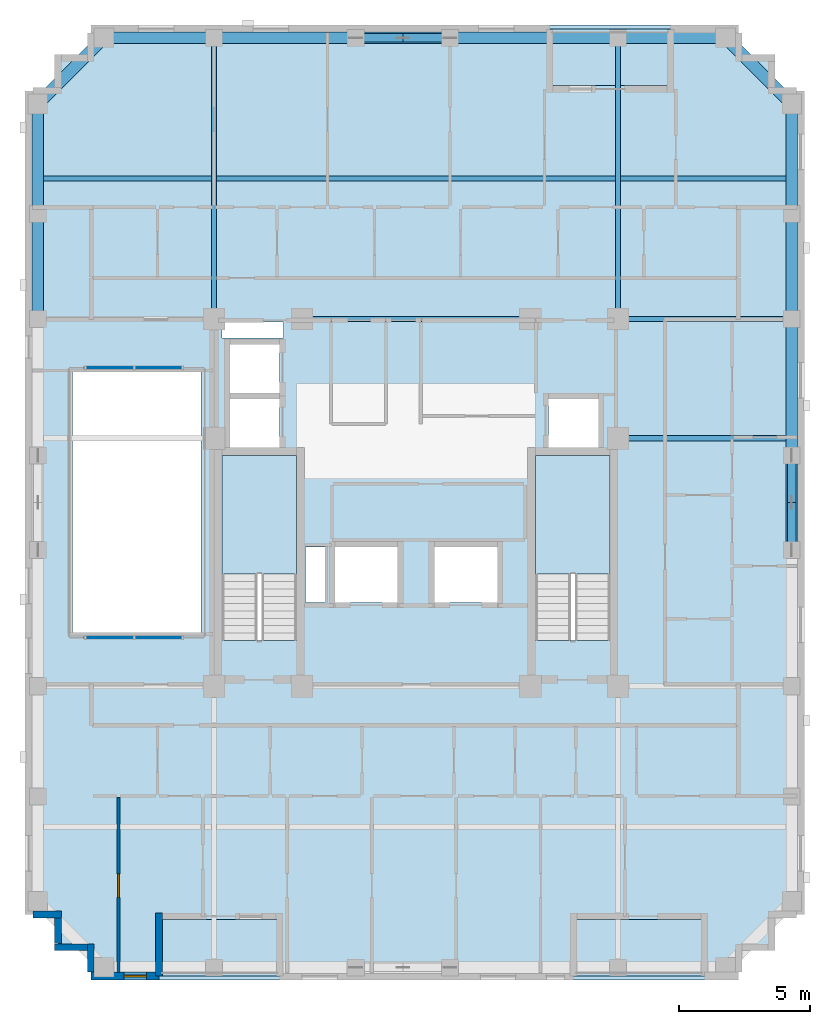
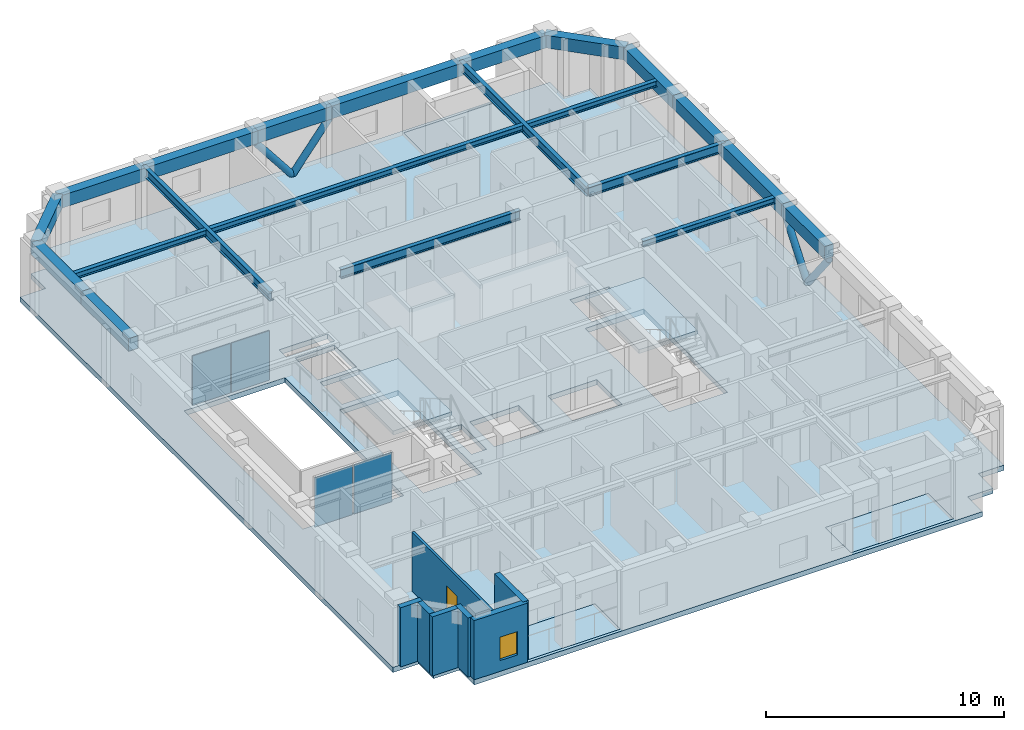
# One storey, part 3 of 12: 21 beams, 7 walls, 6 slabs, 4 members, 4 plates, 1 door, 1 window, 2 openings, 4 elements without a shape of their own.
"""IFC4 building model written with IfcOpenShell, lengths in metres."""

from ifc_helpers import new_model, si_unit, derived_unit, direction, frame, frame_2d, origin, origin_2d, place, context, subcontext, project, spatial, polyline, rectangle, hollow_circle, i_section, outline, extrude, material, layer, layer_set, material_profile, profile_set, type_object, element, fill, aggregate, save


model = new_model("IFC4")

# Units and contexts
model_context = context("Model", 3, precision=1e-05, world=origin(), true_north=direction((0.0, 1.0)))
body_context = subcontext(model_context, "Body", "Model", "MODEL_VIEW")
ifc_project = project(units=[si_unit("LENGTHUNIT", "METRE"), si_unit("AREAUNIT", "SQUARE_METRE"), si_unit("VOLUMEUNIT", "CUBIC_METRE"), si_unit("PLANEANGLEUNIT", "RADIAN"), si_unit("MASSUNIT", "GRAM", prefix="KILO"), derived_unit("THERMALTRANSMITTANCEUNIT", [(si_unit("MASSUNIT", "GRAM", prefix="KILO"), 1), (si_unit("TIMEUNIT", "SECOND"), -3), (si_unit("THERMODYNAMICTEMPERATUREUNIT", "KELVIN"), -1)])], contexts=[model_context])

# Site, building, storey
site_placement = place(None, origin())
site = spatial("IfcSite", under=ifc_project, at=site_placement, CompositionType="ELEMENT")
building_placement = place(site_placement, origin())
building = spatial("IfcBuilding", under=site, at=building_placement, Name="Korrvale Station Residences", CompositionType="ELEMENT")
storey_placement = place(building_placement, frame((0.0, 0.0, 184.300048828125)))
storey = spatial("IfcBuildingStorey", under=building, at=storey_placement, Name="L53", CompositionType="ELEMENT", Elevation=184.300048828125)

# Beams
ifc_material_1 = material(Name="Steel S355", Category="steel")
ifc_material_profile_1 = material_profile(ifc_material_1, i_section(OverallWidth=0.194091796875, OverallDepth=0.468994140625, WebThickness=0.0126953125, FlangeThickness=0.0205078125, FilletRadius=0.01611328125, at=origin_2d()), Name="W460x106")
ifc_profile_set_1 = profile_set([ifc_material_profile_1], Name="Steel S355")
beam_type_1 = type_object("IfcBeamType", Name="BM-BM-W460x106-S355", PredefinedType="BEAM", material=ifc_profile_set_1)
for number, where, z_axis, x_axis, name in (
    (1, (17.800048828125, 29.0, 2.805419921875), (0.0, 1.0, 0.0), (-1.0, 0.0, 0.0), "L53 Bundled-Tube Web Girder 03"),
    (2, (33.199951171875, 29.0, 2.805419921875), (0.0, 1.0, 0.0), (-1.0, 0.0, 0.0), "L53 Bundled-Tube Web Girder 04"),
):
    element("IfcBeam", number, at=place(storey_placement, frame(where, z_axis=z_axis, x_axis=x_axis)), inside=storey, type_object=beam_type_1, Name=name, PredefinedType="BEAM", context=body_context, shape_type="SweptSolid", body=[
        extrude(i_section(OverallWidth=0.194091796875, OverallDepth=0.468994140625, WebThickness=0.0126953125, FlangeThickness=0.0205078125, FilletRadius=0.01611328125, at=origin_2d()), origin(), (0.0, 0.0, 1.0), 10.719970703125),
    ])
beam_1_placement = place(storey_placement, frame((33.199951171875, 29.0, 2.805419921875), z_axis=(1.0, 0.0, 0.0), x_axis=(0.0, 1.0, 0.0)))
element("IfcBeam", 3, at=beam_1_placement, inside=storey, type_object=beam_type_1, Name="L53 Bundled-Tube Web Girder 08", PredefinedType="BEAM", context=body_context, shape_type="SweptSolid", body=[
    extrude(i_section(OverallWidth=0.194091796875, OverallDepth=0.468994140625, WebThickness=0.0126953125, FlangeThickness=0.0205078125, FilletRadius=0.01611328125, at=origin_2d()), origin(), (0.0, 0.0, 1.0), 6.6201171875),
])
beam_2_placement = place(storey_placement, frame((21.14990234375, 29.0, 2.805419921875), z_axis=(1.0, 0.0, 0.0), x_axis=(0.0, 1.0, 0.0)))
element("IfcBeam", 4, at=beam_2_placement, inside=storey, type_object=beam_type_1, Name="L53 Bundled-Tube Web Girder 10", PredefinedType="BEAM", context=body_context, shape_type="SweptSolid", body=[
    extrude(i_section(OverallWidth=0.194091796875, OverallDepth=0.468994140625, WebThickness=0.0126953125, FlangeThickness=0.0205078125, FilletRadius=0.01611328125, at=origin_2d()), origin(), (0.0, 0.0, 1.0), 8.7001953125),
])
ifc_material_profile_2 = material_profile(ifc_material_1, i_section(OverallWidth=0.202880859375, OverallDepth=0.302978515625, WebThickness=0.007568359375, FlangeThickness=0.01318359375, FilletRadius=0.014892578125, at=origin_2d()), Name="W310x60")
ifc_profile_set_2 = profile_set([ifc_material_profile_2], Name="Steel S355")
beam_type_2 = type_object("IfcBeamType", Name="BM-JST-W310x60-S355", PredefinedType="JOIST", material=ifc_profile_set_2)
beam_3_placement = place(storey_placement, frame((11.304931640625, 34.360107421875, 2.888427734375), z_axis=(1.0, 0.0, 0.0), x_axis=(0.0, 1.0, 0.0)))
element("IfcBeam", 5, at=beam_3_placement, inside=storey, type_object=beam_type_2, Name="L53 Floor Framing Joist 04", PredefinedType="JOIST", context=body_context, shape_type="SweptSolid", body=[
    extrude(i_section(OverallWidth=0.202880859375, OverallDepth=0.302978515625, WebThickness=0.007568359375, FlangeThickness=0.01318359375, FilletRadius=0.014892578125, at=origin_2d()), origin(), (0.0, 0.0, 1.0), 6.39794921875),
])
beam_4_placement = place(storey_placement, frame((17.89697265625, 34.360107421875, 2.888427734375), z_axis=(1.0, 0.0, 0.0), x_axis=(0.0, 1.0, 0.0)))
element("IfcBeam", 6, at=beam_4_placement, inside=storey, type_object=beam_type_2, Name="L53 Floor Framing Joist 05", PredefinedType="JOIST", context=body_context, shape_type="SweptSolid", body=[
    extrude(i_section(OverallWidth=0.202880859375, OverallDepth=0.302978515625, WebThickness=0.007568359375, FlangeThickness=0.01318359375, FilletRadius=0.014892578125, at=origin_2d()), origin(), (0.0, 0.0, 1.0), 15.2060546875),
])
beam_5_placement = place(storey_placement, frame((33.297119140625, 34.360107421875, 2.888427734375), z_axis=(1.0, 0.0, 0.0), x_axis=(0.0, 1.0, 0.0)))
element("IfcBeam", 7, at=beam_5_placement, inside=storey, type_object=beam_type_2, Name="L53 Floor Framing Joist 06", PredefinedType="JOIST", context=body_context, shape_type="SweptSolid", body=[
    extrude(i_section(OverallWidth=0.202880859375, OverallDepth=0.302978515625, WebThickness=0.007568359375, FlangeThickness=0.01318359375, FilletRadius=0.014892578125, at=origin_2d()), origin(), (0.0, 0.0, 1.0), 6.2978515625),
])
beam_6_placement = place(storey_placement, frame((33.199951171875, 24.449951171875, 2.888427734375), z_axis=(1.0, 0.0, 0.0), x_axis=(0.0, 1.0, 0.0)))
element("IfcBeam", 8, at=beam_6_placement, inside=storey, type_object=beam_type_2, Name="L53 Floor Framing Joist 07", PredefinedType="JOIST", context=body_context, shape_type="SweptSolid", body=[
    extrude(i_section(OverallWidth=0.202880859375, OverallDepth=0.302978515625, WebThickness=0.007568359375, FlangeThickness=0.01318359375, FilletRadius=0.014892578125, at=origin_2d()), origin(), (0.0, 0.0, 1.0), 6.39501953125),
])
ifc_material_2 = material(Name="Concrete C50/60", Category="concrete")
ifc_material_profile_3 = material_profile(ifc_material_2, rectangle(XDim=0.449951171875, YDim=0.64990234375, at=origin_2d()), Name="RCB450x650")
ifc_profile_set_3 = profile_set([ifc_material_profile_3], Name="Concrete C50/60")
beam_type_3 = type_object("IfcBeamType", Name="BM-SPB-RCB450x650-C5060", PredefinedType="SPANDREL", material=ifc_profile_set_3)
beam_7_placement = place(storey_placement, frame((13.60009765625, 39.719970703125, 2.71484375), z_axis=(1.0, 0.0, 0.0), x_axis=(0.0, 1.0, 0.0)))
element("IfcBeam", 9, at=beam_7_placement, inside=storey, type_object=beam_type_3, Name="L53 North Tube Spandrel 06", PredefinedType="SPANDREL", context=body_context, shape_type="SweptSolid", body=[
    extrude(rectangle(XDim=0.449951171875, YDim=0.64990234375, at=origin_2d()), origin(), (0.0, 0.0, 1.0), 4.199951171875),
])
beam_8_placement = place(storey_placement, frame((17.800048828125, 39.719970703125, 2.71484375), z_axis=(1.0, 0.0, 0.0), x_axis=(0.0, 1.0, 0.0)))
element("IfcBeam", 10, at=beam_8_placement, inside=storey, type_object=beam_type_3, Name="L53 North Tube Spandrel 07", PredefinedType="SPANDREL", context=body_context, shape_type="SweptSolid", body=[
    extrude(rectangle(XDim=0.449951171875, YDim=0.64990234375, at=origin_2d()), origin(), (0.0, 0.0, 1.0), 5.39990234375),
])
beam_9_placement = place(storey_placement, frame((23.199951171875, 39.719970703125, 2.71484375), z_axis=(1.0, 0.0, 0.0), x_axis=(0.0, 1.0, 0.0)))
element("IfcBeam", 11, at=beam_9_placement, inside=storey, type_object=beam_type_3, Name="L53 North Tube Spandrel 08", PredefinedType="SPANDREL", context=body_context, shape_type="SweptSolid", body=[
    extrude(rectangle(XDim=0.449951171875, YDim=0.64990234375, at=origin_2d()), origin(), (0.0, 0.0, 1.0), 3.60009765625),
])
beam_10_placement = place(storey_placement, frame((26.800048828125, 39.719970703125, 2.71484375), z_axis=(1.0, 0.0, 0.0), x_axis=(0.0, 1.0, 0.0)))
element("IfcBeam", 12, at=beam_10_placement, inside=storey, type_object=beam_type_3, Name="L53 North Tube Spandrel 09", PredefinedType="SPANDREL", context=body_context, shape_type="SweptSolid", body=[
    extrude(rectangle(XDim=0.449951171875, YDim=0.64990234375, at=origin_2d()), origin(), (0.0, 0.0, 1.0), 6.39990234375),
])
beam_11_placement = place(storey_placement, frame((33.199951171875, 39.719970703125, 2.71484375), z_axis=(1.0, 0.0, 0.0), x_axis=(0.0, 1.0, 0.0)))
element("IfcBeam", 13, at=beam_11_placement, inside=storey, type_object=beam_type_3, Name="L53 North Tube Spandrel 10", PredefinedType="SPANDREL", context=body_context, shape_type="SweptSolid", body=[
    extrude(rectangle(XDim=0.449951171875, YDim=0.64990234375, at=origin_2d()), origin(), (0.0, 0.0, 1.0), 4.10009765625),
])
beam_12_placement = place(storey_placement, frame((11.080078125, 29.0, 2.71484375), z_axis=(0.0, 1.0, 0.0), x_axis=(-1.0, 0.0, 0.0)))
element("IfcBeam", 14, at=beam_12_placement, inside=storey, type_object=beam_type_3, Name="L53 West Tube Spandrel 16", PredefinedType="SPANDREL", context=body_context, shape_type="SweptSolid", body=[
    extrude(rectangle(XDim=0.449951171875, YDim=0.64990234375, at=origin_2d()), origin(), (0.0, 0.0, 1.0), 4.0),
])
beam_13_placement = place(storey_placement, frame((11.080078125, 33.0, 2.71484375), z_axis=(0.0, 1.0, 0.0), x_axis=(-1.0, 0.0, 0.0)))
element("IfcBeam", 15, at=beam_13_placement, inside=storey, type_object=beam_type_3, Name="L53 West Tube Spandrel 17", PredefinedType="SPANDREL", context=body_context, shape_type="SweptSolid", body=[
    extrude(rectangle(XDim=0.449951171875, YDim=0.64990234375, at=origin_2d()), origin(), (0.0, 0.0, 1.0), 4.199951171875),
])
beam_14_placement = place(storey_placement, frame((39.820068359375, 20.199951171875, 2.71484375), z_axis=(0.0, 1.0, 0.0), x_axis=(-1.0, 0.0, 0.0)))
element("IfcBeam", 16, at=beam_14_placement, inside=storey, type_object=beam_type_3, Name="L53 East Tube Spandrel 21", PredefinedType="SPANDREL", context=body_context, shape_type="SweptSolid", body=[
    extrude(rectangle(XDim=0.449951171875, YDim=0.64990234375, at=origin_2d()), origin(), (0.0, 0.0, 1.0), 3.60009765625),
])
beam_15_placement = place(storey_placement, frame((39.820068359375, 23.800048828125, 2.71484375), z_axis=(0.0, 1.0, 0.0), x_axis=(-1.0, 0.0, 0.0)))
element("IfcBeam", 17, at=beam_15_placement, inside=storey, type_object=beam_type_3, Name="L53 East Tube Spandrel 22", PredefinedType="SPANDREL", context=body_context, shape_type="SweptSolid", body=[
    extrude(rectangle(XDim=0.449951171875, YDim=0.64990234375, at=origin_2d()), origin(), (0.0, 0.0, 1.0), 5.199951171875),
])
beam_16_placement = place(storey_placement, frame((39.820068359375, 29.0, 2.71484375), z_axis=(0.0, 1.0, 0.0), x_axis=(-1.0, 0.0, 0.0)))
element("IfcBeam", 18, at=beam_16_placement, inside=storey, type_object=beam_type_3, Name="L53 East Tube Spandrel 23", PredefinedType="SPANDREL", context=body_context, shape_type="SweptSolid", body=[
    extrude(rectangle(XDim=0.449951171875, YDim=0.64990234375, at=origin_2d()), origin(), (0.0, 0.0, 1.0), 4.0),
])
beam_17_placement = place(storey_placement, frame((39.820068359375, 33.0, 2.71484375), z_axis=(0.0, 1.0, 0.0), x_axis=(-1.0, 0.0, 0.0)))
element("IfcBeam", 19, at=beam_17_placement, inside=storey, type_object=beam_type_3, Name="L53 East Tube Spandrel 24", PredefinedType="SPANDREL", context=body_context, shape_type="SweptSolid", body=[
    extrude(rectangle(XDim=0.449951171875, YDim=0.64990234375, at=origin_2d()), origin(), (0.0, 0.0, 1.0), 4.199951171875),
])
for number, where, z_axis, x_axis, name in (
    (20, (37.300048828125, 39.719970703125, 2.71484375), (0.707106781187, -0.707106781187, 0.0), (0.707106781187, 0.707106781187, 0.0), "L53 Serrated Corner Spandrel 27"),
    (21, (13.60009765625, 39.719970703125, 2.71484375), (-0.707106781187, -0.707106781187, 0.0), (0.707106781187, -0.707106781187, 0.0), "L53 Serrated Corner Spandrel 28"),
):
    element("IfcBeam", number, at=place(storey_placement, frame(where, z_axis=z_axis, x_axis=x_axis)), inside=storey, type_object=beam_type_3, Name=name, PredefinedType="SPANDREL", context=body_context, shape_type="SweptSolid", body=[
        extrude(rectangle(XDim=0.449951171875, YDim=0.64990234375, at=origin_2d()), origin(), (0.0, 0.0, 1.0), 3.56396484375),
    ])

# Members
ifc_material_profile_4 = material_profile(ifc_material_1, hollow_circle(Radius=0.161865234375, WallThickness=0.015869140625, at=origin_2d()), Name="HSS324x16")
ifc_profile_set_4 = profile_set([ifc_material_profile_4], Name="Steel S355")
member_type = type_object("IfcMemberType", Name="MBR-BR-HSS324x16", PredefinedType="BRACE", material=ifc_profile_set_4)
for number, where, z_axis, x_axis, name in (
    (22, (25.0, 39.719970703125, 0.02001953125), (-0.617977009695, 0.0, 0.786196168579), (0.0, -1.0, 0.0), "L53 N Perimeter Tube Wind Brace 1"),
    (23, (25.0, 39.719970703125, 0.02001953125), (0.617977009695, 0.0, 0.786196168579), (0.0, 1.0, 0.0), "L53 N Perimeter Tube Wind Brace 2"),
    (24, (39.820068359375, 22.0, 0.02001953125), (0.0, -0.617977009695, 0.786196168579), (1.0, 0.0, 0.0), "L53 E Perimeter Tube Wind Brace 1"),
    (25, (39.820068359375, 22.0, 0.02001953125), (0.0, 0.617977009695, 0.786196168579), (-1.0, 0.0, 0.0), "L53 E Perimeter Tube Wind Brace 2"),
):
    element("IfcMember", number, at=place(storey_placement, frame(where, z_axis=z_axis, x_axis=x_axis)), inside=storey, type_object=member_type, Name=name, PredefinedType="BRACE", context=body_context, shape_type="SweptSolid", body=[
        extrude(hollow_circle(Radius=0.161865234375, WallThickness=0.015869140625, at=origin_2d()), origin(), (0.0, 0.0, 1.0), 2.912841796875),
    ])

# Curtain wall, plates
ifc_material_3 = material(Name="Unitised thermally broken aluminium curtain wall with triple low-e IGU", Category="aluminium")
curtain_wall_type = type_object("IfcCurtainWallType", Name="CW-ATR-UPP", PredefinedType="NOTDEFINED", material=ifc_material_3)
curtain_wall_1_placement = place(storey_placement, origin())
curtain_wall_1 = element("IfcCurtainWall", 26, at=curtain_wall_1_placement, inside=storey, type_object=curtain_wall_type, Name="L53 Curtain Wall CW5-RUN-5", PredefinedType="NOTDEFINED")
ifc_material_4 = material(Name="Triple-glazed low-e argon insulated glass unit", Category="glass")
ifc_layer_1 = layer(ifc_material_4, 0.035888671875, Name="Triple-glazed low-e argon insulated glass unit")
ifc_layer_set_1 = layer_set([ifc_layer_1], Name="Triple-glazed low-e argon insulated glass unit")
plate_type = type_object("IfcPlateType", Name="CW-ATR-UPP-P", PredefinedType="CURTAIN_PANEL", material=ifc_layer_set_1)
plate_1_placement = place(storey_placement, frame((13.800048828125, 16.85009765625, 0.027587890625), z_axis=(0.0, 0.0, 1.0), x_axis=(1.0, 0.0, 0.0)))
plate_1 = element("IfcPlate", 27, at=plate_1_placement, type_object=plate_type, Name="CW-ATR-UPP Glazing Panel 1-1", PredefinedType="CURTAIN_PANEL", context=body_context, shape_type="SweptSolid", body=[
    extrude(rectangle(XDim=1.844970703125, YDim=0.035888671875, at=origin_2d()), origin(), (0.0, 0.0, 1.0), 2.544921875),
])
plate_2_placement = place(storey_placement, frame((15.699951171875, 16.85009765625, 0.027587890625), z_axis=(0.0, 0.0, 1.0), x_axis=(1.0, 0.0, 0.0)))
plate_2 = element("IfcPlate", 28, at=plate_2_placement, type_object=plate_type, Name="CW-ATR-UPP Glazing Panel 2-1", PredefinedType="CURTAIN_PANEL", context=body_context, shape_type="SweptSolid", body=[
    extrude(rectangle(XDim=1.844970703125, YDim=0.035888671875, at=origin_2d()), origin(), (0.0, 0.0, 1.0), 2.544921875),
])
aggregate(curtain_wall_1, [plate_1, plate_2])

curtain_wall_2_placement = place(storey_placement, origin())
curtain_wall_2 = element("IfcCurtainWall", 29, at=curtain_wall_2_placement, inside=storey, type_object=curtain_wall_type, Name="L53 Curtain Wall CW5-RUN-6", PredefinedType="NOTDEFINED")
plate_3_placement = place(storey_placement, frame((13.800048828125, 27.14990234375, 0.027587890625), z_axis=(0.0, 0.0, 1.0), x_axis=(1.0, 0.0, 0.0)))
plate_3 = element("IfcPlate", 30, at=plate_3_placement, type_object=plate_type, Name="CW-ATR-UPP Glazing Panel 1-1", PredefinedType="CURTAIN_PANEL", context=body_context, shape_type="SweptSolid", body=[
    extrude(rectangle(XDim=1.844970703125, YDim=0.035888671875, at=origin_2d()), origin(), (0.0, 0.0, 1.0), 2.544921875),
])
plate_4_placement = place(storey_placement, frame((15.699951171875, 27.14990234375, 0.027587890625), z_axis=(0.0, 0.0, 1.0), x_axis=(1.0, 0.0, 0.0)))
plate_4 = element("IfcPlate", 31, at=plate_4_placement, type_object=plate_type, Name="CW-ATR-UPP Glazing Panel 2-1", PredefinedType="CURTAIN_PANEL", context=body_context, shape_type="SweptSolid", body=[
    extrude(rectangle(XDim=1.844970703125, YDim=0.035888671875, at=origin_2d()), origin(), (0.0, 0.0, 1.0), 2.544921875),
])
aggregate(curtain_wall_2, [plate_3, plate_4])

# Slabs
ifc_layer_2 = layer(ifc_material_2, 0.219970703125, Name="Concrete C50/60")
ifc_layer_set_2 = layer_set([ifc_layer_2], Name="Concrete C50/60")
slab_type_1 = type_object("IfcSlabType", Name="SLB-BAL-220", PredefinedType="FLOOR", material=ifc_layer_set_2)
slab_1_placement = place(storey_placement, frame((0.0, 0.0, -0.219970703125)))
element("IfcSlab", 32, at=slab_1_placement, inside=storey, type_object=slab_type_1, Name="L53 Recessed Loggia Balcony Slab BAL-L53-S1", PredefinedType="FLOOR", context=body_context, shape_type="SweptSolid", body=[
    extrude(outline(polyline([(15.699951171875, 3.949951171875), (20.300048828125, 3.949951171875), (20.300048828125, 6.10009765625), (15.699951171875, 6.10009765625), (15.699951171875, 3.949951171875)])), origin(), (0.0, 0.0, 1.0), 0.219970703125),
])
slab_2_placement = place(storey_placement, frame((0.0, 0.0, -0.219970703125)))
element("IfcSlab", 33, at=slab_2_placement, inside=storey, type_object=slab_type_1, Name="L53 Recessed Loggia Balcony Slab BAL-L53-N1", PredefinedType="FLOOR", context=body_context, shape_type="SweptSolid", body=[
    extrude(outline(polyline([(30.60009765625, 37.89990234375), (35.199951171875, 37.89990234375), (35.199951171875, 40.050048828125), (30.60009765625, 40.050048828125), (30.60009765625, 37.89990234375)])), origin(), (0.0, 0.0, 1.0), 0.219970703125),
])
slab_3_placement = place(storey_placement, frame((0.0, 0.0, -0.219970703125)))
element("IfcSlab", 34, at=slab_3_placement, inside=storey, type_object=slab_type_1, Name="L53 Recessed Loggia Balcony Slab BAL-L53-S2", PredefinedType="FLOOR", context=body_context, shape_type="SweptSolid", body=[
    extrude(outline(polyline([(31.5, 3.949951171875), (36.5, 3.949951171875), (36.5, 6.10009765625), (31.5, 6.10009765625), (31.5, 3.949951171875)])), origin(), (0.0, 0.0, 1.0), 0.219970703125),
])
ifc_layer_3 = layer(ifc_material_2, 0.260009765625, Name="Concrete C50/60")
ifc_layer_set_3 = layer_set([ifc_layer_3], Name="Concrete C50/60")
slab_type_2 = type_object("IfcSlabType", Name="SLB-FLR-260", PredefinedType="FLOOR", material=ifc_layer_set_3)
slab_4_placement = place(storey_placement, frame((0.0, 0.0, -0.260009765625)))
element("IfcSlab", 35, at=slab_4_placement, inside=storey, type_object=slab_type_2, Name="L53 Suspended Structural Floor Slab", PredefinedType="FLOOR", context=body_context, shape_type="SweptSolid", body=[
    extrude(outline(polyline([(13.10009765625, 3.800048828125), (37.800048828125, 3.800048828125), (37.800048828125, 5.050048828125), (39.050048828125, 5.050048828125), (39.050048828125, 6.300048828125), (40.300048828125, 6.300048828125), (40.300048828125, 37.699951171875), (39.050048828125, 37.699951171875), (39.050048828125, 38.949951171875), (37.800048828125, 38.949951171875), (37.800048828125, 40.199951171875), (13.10009765625, 40.199951171875), (13.10009765625, 38.949951171875), (11.85009765625, 38.949951171875), (11.85009765625, 37.699951171875), (10.60009765625, 37.699951171875), (10.60009765625, 6.300048828125), (11.85009765625, 6.300048828125), (11.85009765625, 5.050048828125), (13.10009765625, 5.050048828125), (13.10009765625, 3.800048828125)]), holes=[polyline([(20.949951171875, 16.751953125), (20.949951171875, 23.800048828125), (18.10009765625, 23.800048828125), (18.10009765625, 16.751953125), (20.949951171875, 16.751953125)]), polyline([(32.89990234375, 16.751953125), (32.89990234375, 23.800048828125), (30.050048828125, 23.800048828125), (30.050048828125, 16.751953125), (32.89990234375, 16.751953125)]), polyline([(12.39990234375, 17.0), (17.300048828125, 17.0), (17.300048828125, 27.0), (12.39990234375, 27.0), (12.39990234375, 17.0)]), polyline([(18.39990234375, 24.10009765625), (20.300048828125, 24.10009765625), (20.300048828125, 25.949951171875), (18.39990234375, 25.949951171875), (18.39990234375, 24.10009765625)]), polyline([(18.39990234375, 26.169921875), (20.300048828125, 26.169921875), (20.300048828125, 28.02001953125), (18.39990234375, 28.02001953125), (18.39990234375, 26.169921875)]), polyline([(30.550048828125, 24.10009765625), (32.449951171875, 24.10009765625), (32.449951171875, 25.949951171875), (30.550048828125, 25.949951171875), (30.550048828125, 24.10009765625)]), polyline([(22.39990234375, 18.199951171875), (24.800048828125, 18.199951171875), (24.800048828125, 20.300048828125), (22.39990234375, 20.300048828125), (22.39990234375, 18.199951171875)]), polyline([(26.199951171875, 18.199951171875), (28.60009765625, 18.199951171875), (28.60009765625, 20.300048828125), (26.199951171875, 20.300048828125), (26.199951171875, 18.199951171875)]), polyline([(18.10009765625, 28.280029296875), (20.449951171875, 28.280029296875), (20.449951171875, 28.8798828125), (18.10009765625, 28.8798828125), (18.10009765625, 28.280029296875)]), polyline([(21.280029296875, 18.199951171875), (22.02001953125, 18.199951171875), (22.02001953125, 20.300048828125), (21.280029296875, 20.300048828125), (21.280029296875, 18.199951171875)]), polyline([(15.699951171875, 3.949951171875), (20.300048828125, 3.949951171875), (20.300048828125, 6.10009765625), (15.699951171875, 6.10009765625), (15.699951171875, 3.949951171875)]), polyline([(30.60009765625, 37.89990234375), (35.199951171875, 37.89990234375), (35.199951171875, 40.050048828125), (30.60009765625, 40.050048828125), (30.60009765625, 37.89990234375)]), polyline([(31.5, 3.949951171875), (36.5, 3.949951171875), (36.5, 6.10009765625), (31.5, 6.10009765625), (31.5, 3.949951171875)])]), origin(), (0.0, 0.0, 1.0), 0.260009765625),
])

# Stair, slab
stair_type = type_object("IfcStairType", Name="STR-DL-1350-20R-1650", PredefinedType="HALF_TURN_STAIR", material=ifc_material_2)
stair_1_placement = place(storey_placement, origin())
stair_1 = element("IfcStair", 36, at=stair_1_placement, inside=storey, type_object=stair_type, Name="L53 Exit Stair 1", PredefinedType="HALF_TURN_STAIR")
ifc_layer_4 = layer(ifc_material_2, 0.199951171875, Name="Concrete C50/60")
ifc_layer_set_4 = layer_set([ifc_layer_4], Name="Concrete C50/60")
slab_type_3 = type_object("IfcSlabType", Name="SLB-LND-200", PredefinedType="LANDING", material=ifc_layer_set_4)
slab_5_placement = place(storey_placement, frame((0.0, 0.0, 1.449951171875)))
slab_5 = element("IfcSlab", 37, at=slab_5_placement, type_object=slab_type_3, Name="ST-1 landing 1", PredefinedType="LANDING", context=body_context, shape_type="SweptSolid", body=[
    extrude(outline(polyline([(20.949951171875, 19.27001953125), (20.949951171875, 23.800048828125), (18.10009765625, 23.800048828125), (18.10009765625, 19.27001953125), (20.949951171875, 19.27001953125)])), origin(), (0.0, 0.0, 1.0), 0.199951171875),
])
aggregate(stair_1, [slab_5])

stair_2_placement = place(storey_placement, origin())
stair_2 = element("IfcStair", 38, at=stair_2_placement, inside=storey, type_object=stair_type, Name="L53 Exit Stair 2", PredefinedType="HALF_TURN_STAIR")
slab_6_placement = place(storey_placement, frame((0.0, 0.0, 1.449951171875)))
slab_6 = element("IfcSlab", 39, at=slab_6_placement, type_object=slab_type_3, Name="ST-2 landing 1", PredefinedType="LANDING", context=body_context, shape_type="SweptSolid", body=[
    extrude(outline(polyline([(32.89990234375, 19.27001953125), (32.89990234375, 23.800048828125), (30.050048828125, 23.800048828125), (30.050048828125, 19.27001953125), (32.89990234375, 19.27001953125)])), origin(), (0.0, 0.0, 1.0), 0.199951171875),
])
aggregate(stair_2, [slab_6])

# Walls
ifc_material_5 = material(Name="Precast concrete C45/55", Category="concrete")
ifc_layer_5 = layer(ifc_material_5, 0.260009765625, Name="Precast concrete C45/55")
ifc_layer_set_5 = layer_set([ifc_layer_5], Name="Precast concrete C45/55")
wall_type_1 = type_object("IfcWallType", Name="WAL-EXT-LOG260", PredefinedType="SOLIDWALL", material=ifc_layer_set_5)
wall_1_placement = place(storey_placement, frame((15.699951171875, 6.360107421875, 0.0), z_axis=(0.0, 0.0, 1.0), x_axis=(0.0, -1.0, 0.0)))
element("IfcWall", 40, at=wall_1_placement, inside=storey, type_object=wall_type_1, Name="L53 Recessed Loggia Wall BAL-L53-S1-R", PredefinedType="SOLIDWALL", context=body_context, shape_type="SweptSolid", body=[
    extrude(rectangle(XDim=2.400146484375, YDim=0.260009765625, at=frame_2d((1.2001953125, 0.0))), origin(), (0.0, 0.0, 1.0), 3.0400390625),
])
wall_2_placement = place(storey_placement, frame((13.10009765625, 4.10205078125, 0.0), z_axis=(0.0, 0.0, 1.0), x_axis=(0.0, 1.0, 0.0)))
element("IfcWall", 41, at=wall_2_placement, inside=storey, type_object=wall_type_1, Name="L53 Serrated Corner Precast Step SW-1", PredefinedType="SOLIDWALL", context=body_context, shape_type="SweptSolid", body=[
    extrude(rectangle(XDim=1.077880859375, YDim=0.260009765625, at=frame_2d((0.5390625, 0.0))), origin(), (0.0, 0.0, 1.0), 3.0400390625),
])
wall_3_placement = place(storey_placement, frame((12.968017578125, 5.050048828125, 0.0), z_axis=(0.0, 0.0, 1.0), x_axis=(-1.0, 0.0, 0.0)))
element("IfcWall", 42, at=wall_3_placement, inside=storey, type_object=wall_type_1, Name="L53 Serrated Corner Precast Step SW-2", PredefinedType="SOLIDWALL", context=body_context, shape_type="SweptSolid", body=[
    extrude(rectangle(XDim=1.248046875, YDim=0.260009765625, at=frame_2d((0.6240234375, 0.0))), origin(), (0.0, 0.0, 1.0), 3.0400390625),
])
wall_4_placement = place(storey_placement, frame((11.85009765625, 5.181884765625, 0.0), z_axis=(0.0, 0.0, 1.0), x_axis=(0.0, 1.0, 0.0)))
element("IfcWall", 43, at=wall_4_placement, inside=storey, type_object=wall_type_1, Name="L53 Serrated Corner Precast Step SW-3", PredefinedType="SOLIDWALL", context=body_context, shape_type="SweptSolid", body=[
    extrude(rectangle(XDim=0.986083984375, YDim=0.260009765625, at=frame_2d((0.4931640625, 0.0))), origin(), (0.0, 0.0, 1.0), 3.0400390625),
])
wall_5_placement = place(storey_placement, frame((11.97998046875, 6.300048828125, 0.0), z_axis=(0.0, 0.0, 1.0), x_axis=(-1.0, 0.0, 0.0)))
element("IfcWall", 44, at=wall_5_placement, inside=storey, type_object=wall_type_1, Name="L53 Serrated Corner Precast Step SW-4", PredefinedType="SOLIDWALL", context=body_context, shape_type="SweptSolid", body=[
    extrude(rectangle(XDim=1.077880859375, YDim=0.260009765625, at=frame_2d((0.5390625, 0.0))), origin(), (0.0, 0.0, 1.0), 3.0400390625),
])

# Wall, opening, window
ifc_layer_6 = layer(ifc_material_5, 0.300048828125, Name="Precast concrete C45/55")
ifc_layer_set_6 = layer_set([ifc_layer_6], Name="Precast concrete C45/55")
wall_type_2 = type_object("IfcWallType", Name="WAL-EXT-PC300", PredefinedType="SOLIDWALL", material=ifc_layer_set_6)
wall_6_placement = place(storey_placement, frame((15.699951171875, 3.949951171875, 0.0), z_axis=(0.0, 0.0, 1.0), x_axis=(-1.0, 0.0, 0.0)))
wall_6 = element("IfcWall", 45, at=wall_6_placement, inside=storey, type_object=wall_type_2, Name="L53 South Exterior Precast Wall 3", PredefinedType="SOLIDWALL", context=body_context, shape_type="SweptSolid", body=[
    extrude(rectangle(XDim=2.599853515625, YDim=0.300048828125, at=frame_2d((1.2998046875, 0.0))), origin(), (0.0, 0.0, 1.0), 3.0400390625),
])
opening_1_placement = place(wall_6_placement, frame((0.47998046875, 0.0, 0.550048828125)))
opening_1 = element("IfcOpeningElement", 46, at=opening_1_placement, cuts=wall_6, Name="Opening W-11", PredefinedType="OPENING", context=body_context, shape_type="SweptSolid", body=[
    extrude(rectangle(XDim=0.85009765625, YDim=1.199951171875, at=frame_2d((0.425048828125, 0.60009765625))), frame((0.0, 0.16015625, 0.0), z_axis=(0.0, -1.0, 0.0), x_axis=(1.0, 0.0, 0.0)), (0.0, 0.0, 1.0), 0.320068359375),
])
ifc_material_6 = material(Name="Thermally broken aluminium frame with triple low-e glazing", Category="aluminium")
window_type = type_object("IfcWindowType", Name="WIN-W11", PartitioningType="SINGLE_PANEL", PredefinedType="WINDOW", material=ifc_material_6)
window_placement = place(opening_1_placement, origin())
window = element("IfcWindow", 47, at=window_placement, inside=storey, type_object=window_type, Name="L53 Punched Window 02", OverallHeight=1.199951171875, OverallWidth=0.85009765625, PartitioningType="SINGLE_PANEL", PredefinedType="WINDOW", context=body_context, shape_type="SweptSolid", body=[
    extrude(rectangle(XDim=0.85009765625, YDim=1.199951171875, at=frame_2d((0.425048828125, 0.60009765625))), frame((0.0, 0.030029296875, 0.0), z_axis=(0.0, -1.0, 0.0), x_axis=(1.0, 0.0, 0.0)), (0.0, 0.0, 1.0), 0.06005859375),
])
fill(opening_1, window)

# Wall, opening, door
ifc_material_7 = material(Name="Acoustic steel-stud gypsum board partition", Category="steel")
ifc_layer_7 = layer(ifc_material_7, 0.1201171875, Name="Acoustic steel-stud gypsum board partition")
ifc_layer_set_7 = layer_set([ifc_layer_7], Name="Acoustic steel-stud gypsum board partition")
wall_type_3 = type_object("IfcWallType", Name="WAL-PART-125", PredefinedType="PARTITIONING", material=ifc_layer_set_7)
wall_7_placement = place(storey_placement, frame((14.14990234375, 4.080078125, 0.0), z_axis=(0.0, 0.0, 1.0), x_axis=(0.0, 1.0, 0.0)))
wall_7 = element("IfcWall", 48, at=wall_7_placement, inside=storey, type_object=wall_type_3, Name="L53 Suite Partition U01-V89", PredefinedType="PARTITIONING", context=body_context, shape_type="SweptSolid", body=[
    extrude(rectangle(XDim=6.669921875, YDim=0.1201171875, at=frame_2d((3.3349609375, 0.0))), origin(), (0.0, 0.0, 1.0), 3.0400390625),
])
opening_2_placement = place(wall_7_placement, frame((2.8701171875, 0.0, 0.0)))
opening_2 = element("IfcOpeningElement", 49, at=opening_2_placement, cuts=wall_7, Name="Opening DI-900", PredefinedType="OPENING", context=body_context, shape_type="SweptSolid", body=[
    extrude(rectangle(XDim=0.89990234375, YDim=2.050048828125, at=frame_2d((0.449951171875, 1.02490234375))), frame((0.0, 0.070068359375, 0.0), z_axis=(0.0, -1.0, 0.0), x_axis=(1.0, 0.0, 0.0)), (0.0, 0.0, 1.0), 0.14013671875),
])
ifc_material_8 = material(Name="Painted solid-core timber interior room door", Category="wood")
door_type = type_object("IfcDoorType", Name="DR-INT-900", OperationType="NOTDEFINED", PredefinedType="DOOR", material=ifc_material_8)
door_placement = place(opening_2_placement, origin())
door = element("IfcDoor", 50, at=door_placement, inside=storey, type_object=door_type, Name="L53 Studio Apartment L53-U01 Walk-In Wardrobe Door", OperationType="SINGLE_SWING_RIGHT", OverallHeight=2.050048828125, OverallWidth=0.89990234375, PredefinedType="DOOR", context=body_context, shape_type="SweptSolid", body=[
    extrude(rectangle(XDim=0.89990234375, YDim=2.050048828125, at=frame_2d((0.449951171875, 1.02490234375))), frame((0.0, 0.02490234375, 0.0), z_axis=(0.0, -1.0, 0.0), x_axis=(1.0, 0.0, 0.0)), (0.0, 0.0, 1.0), 0.050048828125),
])
fill(opening_2, door)

save(model, "model.ifc")
